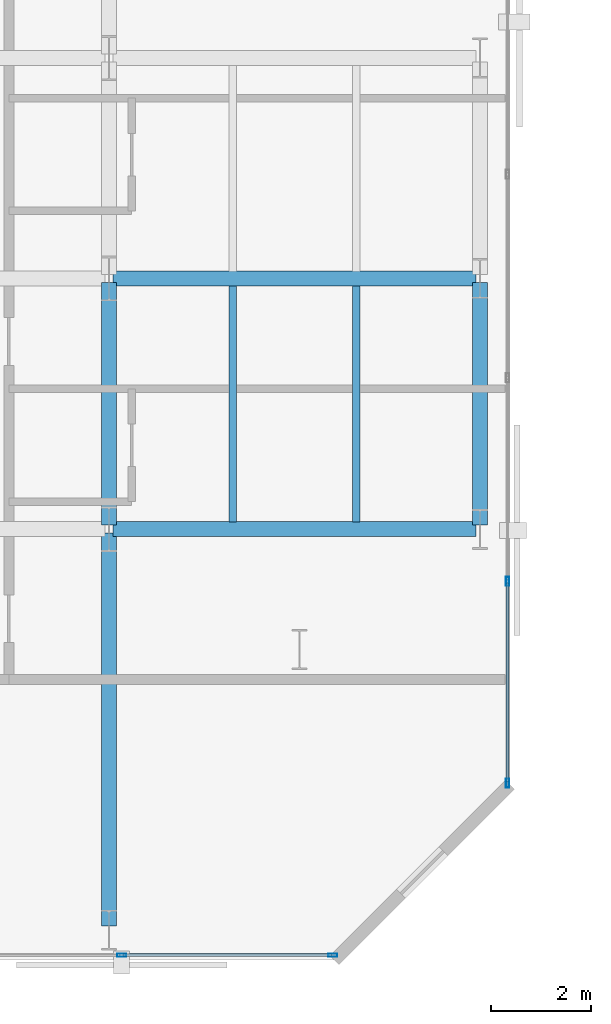
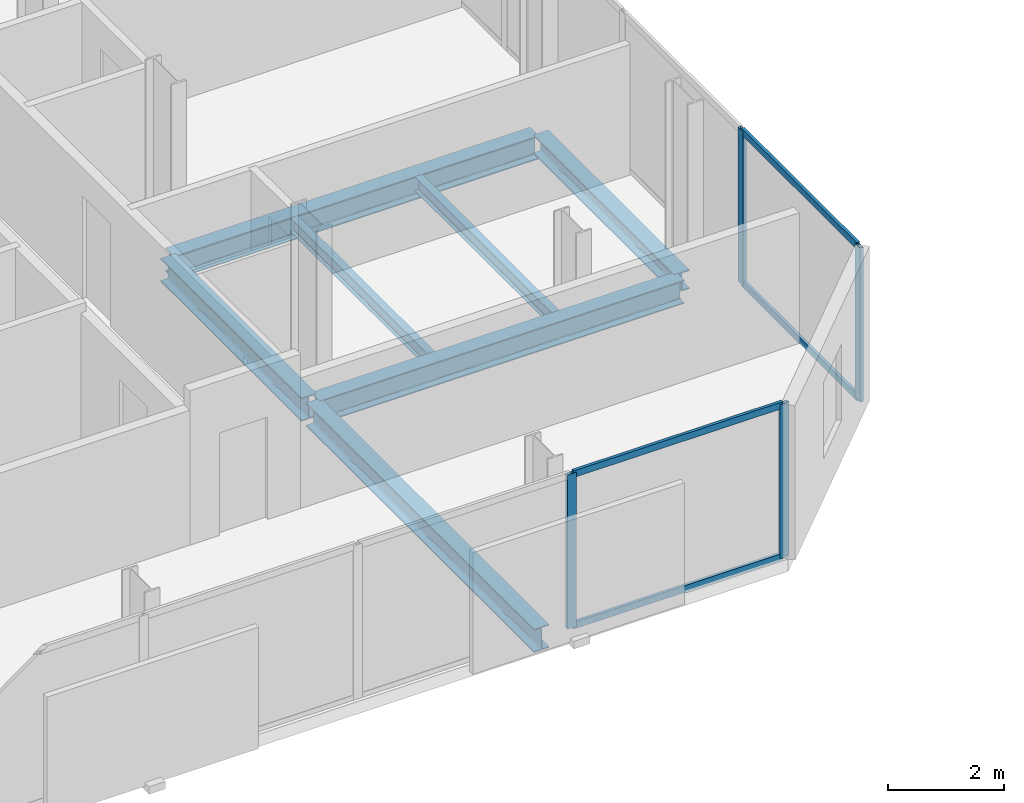
# One storey, part 7 of 33: 8 members, 7 beams, 2 elements without a shape of their own.
"""IFC4 building model written with IfcOpenShell, lengths in metres."""

from ifc_helpers import new_model, si_unit, direction, frame, origin, origin_2d, place, context, subcontext, project, spatial, hollow_rectangle, i_section, extrude, material, layer, layer_set, material_profile, profile_set, type_object, element, aggregate, save


model = new_model("IFC4")

# Units and contexts
model_context = context("Model", 3, precision=1e-05, world=origin(), true_north=direction((0.0, 1.0)))
body_context = subcontext(model_context, "Body", "Model", "MODEL_VIEW")
ifc_project = project(units=[si_unit("LENGTHUNIT", "METRE"), si_unit("AREAUNIT", "SQUARE_METRE"), si_unit("VOLUMEUNIT", "CUBIC_METRE"), si_unit("PLANEANGLEUNIT", "RADIAN"), si_unit("MASSUNIT", "GRAM", prefix="KILO")], contexts=[model_context])

# Site, building, storey
site_placement = place(None, origin())
site = spatial("IfcSite", under=ifc_project, at=site_placement, CompositionType="ELEMENT")
building_placement = place(site_placement, origin())
building = spatial("IfcBuilding", under=site, at=building_placement, Name="Catumbela Crestline Tower", CompositionType="ELEMENT")
storey_placement = place(building_placement, frame((0.0, 0.0, 76.2)))
storey = spatial("IfcBuildingStorey", under=building, at=storey_placement, Name="L19", CompositionType="ELEMENT", Elevation=76.2)

# Beams
ifc_material_1 = material(Name="Structural steel S355J2", Category="steel")
ifc_material_profile_1 = material_profile(ifc_material_1, i_section(OverallWidth=0.3, OverallDepth=0.49, WebThickness=0.012, FlangeThickness=0.023, FilletRadius=0.027, at=origin_2d()), Name="HEA 500")
ifc_profile_set_1 = profile_set([ifc_material_profile_1], Name="Structural steel S355J2")
beam_type_1 = type_object("IfcBeamType", Name="BG-HEA500", PredefinedType="BEAM", material=ifc_profile_set_1)
for number, where, z_axis, x_axis, name in (
    (1, (16.08, 8.6, -0.505), (1.0, 0.0, 0.0), (0.0, 1.0, 0.0), "L19 Beam BM-L19-WEW50"),
    (2, (16.08, 13.6, -0.505), (1.0, 0.0, 0.0), (0.0, 1.0, 0.0), "L19 Beam BM-L19-WEW53"),
):
    element("IfcBeam", number, at=place(storey_placement, frame(where, z_axis=z_axis, x_axis=x_axis)), inside=storey, type_object=beam_type_1, Name=name, PredefinedType="BEAM", context=body_context, shape_type="SweptSolid", body=[
        extrude(i_section(OverallWidth=0.3, OverallDepth=0.49, WebThickness=0.012, FlangeThickness=0.023, FilletRadius=0.027, at=origin_2d()), origin(), (0.0, 0.0, 1.0), 7.24),
    ])
beam_1_placement = place(storey_placement, frame((16.0, 0.68, -0.505), z_axis=(0.0, 1.0, 0.0), x_axis=(-1.0, 0.0, 0.0)))
element("IfcBeam", 3, at=beam_1_placement, inside=storey, type_object=beam_type_1, Name="L19 Beam BM-L19-WNS64", PredefinedType="BEAM", context=body_context, shape_type="SweptSolid", body=[
    extrude(i_section(OverallWidth=0.3, OverallDepth=0.49, WebThickness=0.012, FlangeThickness=0.023, FilletRadius=0.027, at=origin_2d()), origin(), (0.0, 0.0, 1.0), 7.84),
])
beam_2_placement = place(storey_placement, frame((16.0, 8.68, -0.505), z_axis=(0.0, 1.0, 0.0), x_axis=(-1.0, 0.0, 0.0)))
element("IfcBeam", 4, at=beam_2_placement, inside=storey, type_object=beam_type_1, Name="L19 Beam BM-L19-WNS65", PredefinedType="BEAM", context=body_context, shape_type="SweptSolid", body=[
    extrude(i_section(OverallWidth=0.3, OverallDepth=0.49, WebThickness=0.012, FlangeThickness=0.023, FilletRadius=0.027, at=origin_2d()), origin(), (0.0, 0.0, 1.0), 4.84),
])
ifc_material_profile_2 = material_profile(ifc_material_1, i_section(OverallWidth=0.15, OverallDepth=0.3, WebThickness=0.0071, FlangeThickness=0.0107, FilletRadius=0.015, at=origin_2d()), Name="IPE 300")
ifc_profile_set_2 = profile_set([ifc_material_profile_2], Name="Structural steel S355J2")
beam_type_2 = type_object("IfcBeamType", Name="BJ-IPE300", PredefinedType="JOIST", material=ifc_profile_set_2)
for number, where, z_axis, x_axis, name in (
    (5, (18.467, 8.747, -0.41), (0.0, 1.0, 0.0), (-1.0, 0.0, 0.0), "L19 Joist JS-L19-WG74"),
    (6, (20.933, 8.747, -0.41), (0.0, 1.0, 0.0), (-1.0, 0.0, 0.0), "L19 Joist JS-L19-WG75"),
):
    element("IfcBeam", number, at=place(storey_placement, frame(where, z_axis=z_axis, x_axis=x_axis)), inside=storey, type_object=beam_type_2, Name=name, PredefinedType="JOIST", context=body_context, shape_type="SweptSolid", body=[
        extrude(i_section(OverallWidth=0.15, OverallDepth=0.3, WebThickness=0.0071, FlangeThickness=0.0107, FilletRadius=0.015, at=origin_2d()), origin(), (0.0, 0.0, 1.0), 4.706),
    ])

# Curtain wall, members
ifc_material_2 = material(Name="Aluminium alloy AW-6060-T66", Category="aluminium")
ifc_layer = layer(ifc_material_2, 0.18, Name="Aluminium alloy AW-6060-T66")
ifc_layer_set = layer_set([ifc_layer], Name="Aluminium alloy AW-6060-T66")
curtain_wall_type = type_object("IfcCurtainWallType", Name="CWU-Z1", PredefinedType="USERDEFINED", material=ifc_layer_set)
curtain_wall_1_placement = place(storey_placement, origin())
curtain_wall_1 = element("IfcCurtainWall", 7, at=curtain_wall_1_placement, inside=storey, type_object=curtain_wall_type, Name="L19 Unitised Curtain Wall CW-L19-E0S1", ObjectType="UNITISED", PredefinedType="USERDEFINED")
ifc_material_profile_3 = material_profile(ifc_material_2, hollow_rectangle(XDim=0.065, YDim=0.18, WallThickness=0.004, at=origin_2d()), Name="ALU 180x65x4")
ifc_profile_set_3 = profile_set([ifc_material_profile_3], Name="Aluminium alloy AW-6060-T66")
member_type_1 = type_object("IfcMemberType", Name="MUL-180X65", PredefinedType="MULLION", material=ifc_profile_set_3)
member_1_placement = place(storey_placement, frame((16.25, 0.1, 0.0), z_axis=(0.0, 0.0, 1.0), x_axis=(0.0, 1.0, 0.0)))
member_1 = element("IfcMember", 8, at=member_1_placement, type_object=member_type_1, Name="CWU-Z1 mullion 4", PredefinedType="MULLION", context=body_context, shape_type="SweptSolid", body=[
    extrude(hollow_rectangle(XDim=0.065, YDim=0.18, WallThickness=0.004, at=origin_2d()), origin(), (0.0, 0.0, 1.0), 3.24),
])
member_2_placement = place(storey_placement, frame((20.4675, 0.1, 0.0), z_axis=(0.0, 0.0, 1.0), x_axis=(0.0, 1.0, 0.0)))
member_2 = element("IfcMember", 9, at=member_2_placement, type_object=member_type_1, Name="CWU-Z1 mullion 5", PredefinedType="MULLION", context=body_context, shape_type="SweptSolid", body=[
    extrude(hollow_rectangle(XDim=0.065, YDim=0.18, WallThickness=0.004, at=origin_2d()), origin(), (0.0, 0.0, 1.0), 3.24),
])

curtain_wall_2_placement = place(storey_placement, origin())
curtain_wall_2 = element("IfcCurtainWall", 10, at=curtain_wall_2_placement, inside=storey, type_object=curtain_wall_type, Name="L19 Unitised Curtain Wall CW-L19-E2S1", ObjectType="UNITISED", PredefinedType="USERDEFINED")
member_3_placement = place(storey_placement, frame((23.95, 3.5325, 0.0), z_axis=(0.0, 0.0, 1.0), x_axis=(-1.0, 0.0, 0.0)))
member_3 = element("IfcMember", 11, at=member_3_placement, type_object=member_type_1, Name="CWU-Z1 mullion 1", PredefinedType="MULLION", context=body_context, shape_type="SweptSolid", body=[
    extrude(hollow_rectangle(XDim=0.065, YDim=0.18, WallThickness=0.004, at=origin_2d()), origin(), (0.0, 0.0, 1.0), 3.24),
])
member_4_placement = place(storey_placement, frame((23.95, 7.56, 0.0), z_axis=(0.0, 0.0, 1.0), x_axis=(-1.0, 0.0, 0.0)))
member_4 = element("IfcMember", 12, at=member_4_placement, type_object=member_type_1, Name="CWU-Z1 mullion 2", PredefinedType="MULLION", context=body_context, shape_type="SweptSolid", body=[
    extrude(hollow_rectangle(XDim=0.065, YDim=0.18, WallThickness=0.004, at=origin_2d()), origin(), (0.0, 0.0, 1.0), 3.24),
])

# Beam
ifc_material_profile_4 = material_profile(ifc_material_1, i_section(OverallWidth=0.3, OverallDepth=0.4, WebThickness=0.0135, FlangeThickness=0.024, FilletRadius=0.027, at=origin_2d()), Name="HEB 400")
ifc_profile_set_4 = profile_set([ifc_material_profile_4], Name="Structural steel S355J2")
beam_type_3 = type_object("IfcBeamType", Name="BS-HEB400", PredefinedType="SPANDREL", material=ifc_profile_set_4)
beam_3_placement = place(storey_placement, frame((23.4, 8.68, -0.46), z_axis=(0.0, 1.0, 0.0), x_axis=(-1.0, 0.0, 0.0)))
element("IfcBeam", 13, at=beam_3_placement, inside=storey, type_object=beam_type_3, Name="L19 Spandrel SP-L19-WNS68", PredefinedType="SPANDREL", context=body_context, shape_type="SweptSolid", body=[
    extrude(i_section(OverallWidth=0.3, OverallDepth=0.4, WebThickness=0.0135, FlangeThickness=0.024, FilletRadius=0.027, at=origin_2d()), origin(), (0.0, 0.0, 1.0), 4.84),
])

# Member
ifc_material_profile_5 = material_profile(ifc_material_2, hollow_rectangle(XDim=0.06, YDim=0.14, WallThickness=0.004, at=origin_2d()), Name="ALU 140x60x4")
ifc_profile_set_5 = profile_set([ifc_material_profile_5], Name="Aluminium alloy AW-6060-T66")
member_type_2 = type_object("IfcMemberType", Name="TRN-140X60", PredefinedType="USERDEFINED", material=ifc_profile_set_5)
member_5_placement = place(storey_placement, frame((16.2825, 0.1, 0.03), z_axis=(1.0, 0.0, 0.0), x_axis=(0.0, 1.0, 0.0)))
member_5 = element("IfcMember", 14, at=member_5_placement, type_object=member_type_2, Name="CWU-Z1 transom 4.1", ObjectType="TRANSOM", PredefinedType="USERDEFINED", context=body_context, shape_type="SweptSolid", body=[
    extrude(hollow_rectangle(XDim=0.06, YDim=0.14, WallThickness=0.004, at=origin_2d()), origin(), (0.0, 0.0, 1.0), 4.1525),
])

member_6_placement = place(storey_placement, frame((16.2825, 0.1, 3.21), z_axis=(1.0, 0.0, 0.0), x_axis=(0.0, 1.0, 0.0)))
member_6 = element("IfcMember", 15, at=member_6_placement, type_object=member_type_2, Name="CWU-Z1 transom 4.2", ObjectType="TRANSOM", PredefinedType="USERDEFINED", context=body_context, shape_type="SweptSolid", body=[
    extrude(hollow_rectangle(XDim=0.06, YDim=0.14, WallThickness=0.004, at=origin_2d()), origin(), (0.0, 0.0, 1.0), 4.1525),
])

aggregate(curtain_wall_1, [member_1, member_2, member_5, member_6])

member_7_placement = place(storey_placement, frame((23.95, 3.565, 0.03), z_axis=(0.0, 1.0, 0.0), x_axis=(-1.0, 0.0, 0.0)))
member_7 = element("IfcMember", 16, at=member_7_placement, type_object=member_type_2, Name="CWU-Z1 transom 1.1", ObjectType="TRANSOM", PredefinedType="USERDEFINED", context=body_context, shape_type="SweptSolid", body=[
    extrude(hollow_rectangle(XDim=0.06, YDim=0.14, WallThickness=0.004, at=origin_2d()), origin(), (0.0, 0.0, 1.0), 3.9625),
])

member_8_placement = place(storey_placement, frame((23.95, 3.565, 3.21), z_axis=(0.0, 1.0, 0.0), x_axis=(-1.0, 0.0, 0.0)))
member_8 = element("IfcMember", 17, at=member_8_placement, type_object=member_type_2, Name="CWU-Z1 transom 1.2", ObjectType="TRANSOM", PredefinedType="USERDEFINED", context=body_context, shape_type="SweptSolid", body=[
    extrude(hollow_rectangle(XDim=0.06, YDim=0.14, WallThickness=0.004, at=origin_2d()), origin(), (0.0, 0.0, 1.0), 3.9625),
])

aggregate(curtain_wall_2, [member_3, member_4, member_7, member_8])

save(model, "model.ifc")
